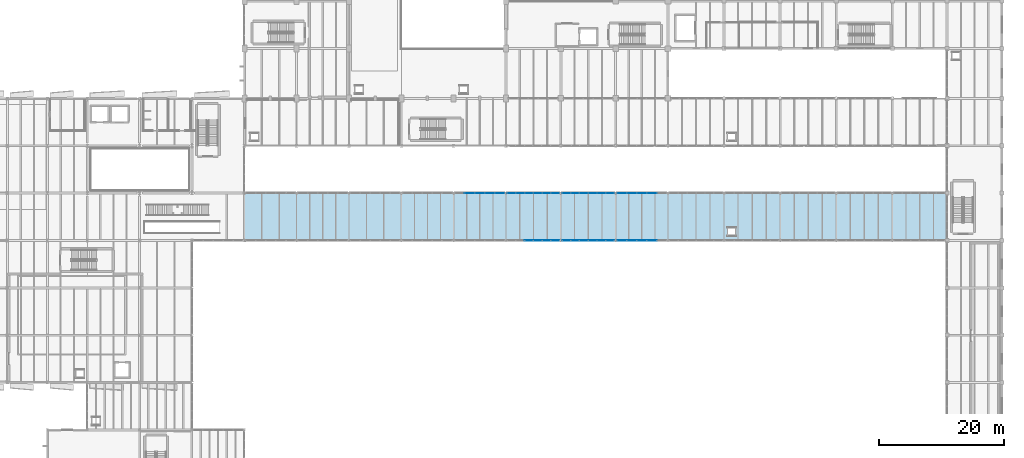
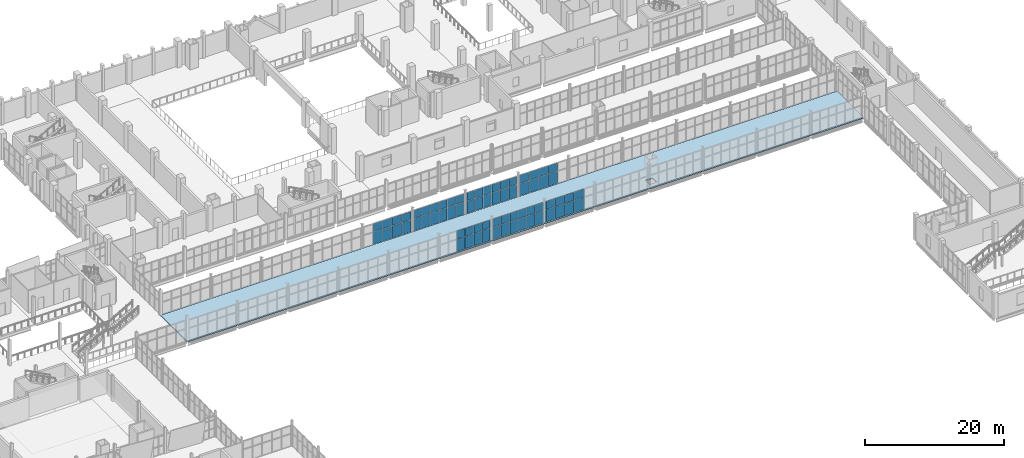
# One storey, part 131 of 172: 68 plates, 1 slab, 7 elements without a shape of their own.
"""IFC4 building model written with IfcOpenShell, lengths in metres."""

from ifc_helpers import new_model, si_unit, direction, frame, origin, origin_2d, place, context, subcontext, project, spatial, polyline, rectangle, outline, extrude, material, layer, layer_set, type_object, element, aggregate, save


model = new_model("IFC4")

# Units and contexts
model_context = context("Model", 3, precision=1e-05, world=origin(), true_north=direction((0.0, 1.0)))
body_context = subcontext(model_context, "Body", "Model", "MODEL_VIEW")
ifc_project = project(units=[si_unit("LENGTHUNIT", "METRE"), si_unit("AREAUNIT", "SQUARE_METRE"), si_unit("VOLUMEUNIT", "CUBIC_METRE"), si_unit("PLANEANGLEUNIT", "RADIAN"), si_unit("MASSUNIT", "GRAM", prefix="KILO")], contexts=[model_context])

# Site, building, storey
site_placement = place(None, origin())
site = spatial("IfcSite", under=ifc_project, at=site_placement, CompositionType="ELEMENT")
building_placement = place(site_placement, origin())
building = spatial("IfcBuilding", under=site, at=building_placement, Name="Shengluoqiao Park Theatre", CompositionType="ELEMENT")
storey_placement = place(building_placement, frame((0.0, 0.0, 5.39990234375)))
storey = spatial("IfcBuildingStorey", under=building, at=storey_placement, Name="L01", CompositionType="ELEMENT", Elevation=5.39990234375)

# Curtain wall, plates
ifc_material_1 = material(Name="Aluminium 6063-T6", Category="aluminium")
curtain_wall_type = type_object("IfcCurtainWallType", Name="ENV-CW-BRIDGE", PredefinedType="NOTDEFINED", material=ifc_material_1)
curtain_wall_1_placement = place(storey_placement, origin())
curtain_wall_1 = element("IfcCurtainWall", 1, at=curtain_wall_1_placement, inside=storey, type_object=curtain_wall_type, Name="L01 Curtain Wall CWX-L01-0128", PredefinedType="NOTDEFINED")
ifc_material_2 = material(Name="Insulated glass", Category="glass")
ifc_layer_1 = layer(ifc_material_2, 0.0380859375, Name="Insulated glass")
ifc_layer_set_1 = layer_set([ifc_layer_1], Name="Insulated glass")
plate_type = type_object("IfcPlateType", Name="ENV-GLZ-GL-38", PredefinedType="CURTAIN_PANEL", material=ifc_layer_set_1)
plate_1_placement = place(storey_placement, frame((90.096923828125, 53.199951171875, 0.06005859375), z_axis=(0.0, 0.0, 1.0), x_axis=(1.0, 0.0, 0.0)))
plate_1 = element("IfcPlate", 2, at=plate_1_placement, type_object=plate_type, Name="CW-03 panel 3.1", PredefinedType="CURTAIN_PANEL", context=body_context, shape_type="SweptSolid", body=[
    extrude(rectangle(XDim=1.345947265625, YDim=0.0380859375, at=origin_2d()), origin(), (0.0, 0.0, 1.0), 2.160888671875),
])
plate_2_placement = place(storey_placement, frame((90.096923828125, 53.199951171875, 2.28125), z_axis=(0.0, 0.0, 1.0), x_axis=(1.0, 0.0, 0.0)))
plate_2 = element("IfcPlate", 3, at=plate_2_placement, type_object=plate_type, Name="CW-03 panel 3.2", PredefinedType="CURTAIN_PANEL", context=body_context, shape_type="SweptSolid", body=[
    extrude(rectangle(XDim=1.345947265625, YDim=0.0380859375, at=origin_2d()), origin(), (0.0, 0.0, 1.0), 1.410888671875),
])
plate_3_placement = place(storey_placement, frame((91.5029296875, 53.199951171875, 0.06005859375), z_axis=(0.0, 0.0, 1.0), x_axis=(1.0, 0.0, 0.0)))
plate_3 = element("IfcPlate", 4, at=plate_3_placement, type_object=plate_type, Name="CW-03 panel 4.1", PredefinedType="CURTAIN_PANEL", context=body_context, shape_type="SweptSolid", body=[
    extrude(rectangle(XDim=1.345947265625, YDim=0.0380859375, at=origin_2d()), origin(), (0.0, 0.0, 1.0), 2.160888671875),
])
plate_4_placement = place(storey_placement, frame((91.5029296875, 53.199951171875, 2.28125), z_axis=(0.0, 0.0, 1.0), x_axis=(1.0, 0.0, 0.0)))
plate_4 = element("IfcPlate", 5, at=plate_4_placement, type_object=plate_type, Name="CW-03 panel 4.2", PredefinedType="CURTAIN_PANEL", context=body_context, shape_type="SweptSolid", body=[
    extrude(rectangle(XDim=1.345947265625, YDim=0.0380859375, at=origin_2d()), origin(), (0.0, 0.0, 1.0), 1.410888671875),
])
plate_5_placement = place(storey_placement, frame((92.908935546875, 53.199951171875, 0.06005859375), z_axis=(0.0, 0.0, 1.0), x_axis=(1.0, 0.0, 0.0)))
plate_5 = element("IfcPlate", 6, at=plate_5_placement, type_object=plate_type, Name="CW-03 panel 5.1", PredefinedType="CURTAIN_PANEL", context=body_context, shape_type="SweptSolid", body=[
    extrude(rectangle(XDim=1.345947265625, YDim=0.0380859375, at=origin_2d()), origin(), (0.0, 0.0, 1.0), 2.160888671875),
])
plate_6_placement = place(storey_placement, frame((92.908935546875, 53.199951171875, 2.28125), z_axis=(0.0, 0.0, 1.0), x_axis=(1.0, 0.0, 0.0)))
plate_6 = element("IfcPlate", 7, at=plate_6_placement, type_object=plate_type, Name="CW-03 panel 5.2", PredefinedType="CURTAIN_PANEL", context=body_context, shape_type="SweptSolid", body=[
    extrude(rectangle(XDim=1.345947265625, YDim=0.0380859375, at=origin_2d()), origin(), (0.0, 0.0, 1.0), 1.410888671875),
])
plate_7_placement = place(storey_placement, frame((94.300048828125, 53.199951171875, 0.06005859375), z_axis=(0.0, 0.0, 1.0), x_axis=(1.0, 0.0, 0.0)))
plate_7 = element("IfcPlate", 8, at=plate_7_placement, type_object=plate_type, Name="CW-03 panel 6.1", PredefinedType="CURTAIN_PANEL", context=body_context, shape_type="SweptSolid", body=[
    extrude(rectangle(XDim=1.31591796875, YDim=0.0380859375, at=origin_2d()), origin(), (0.0, 0.0, 1.0), 2.160888671875),
])
plate_8_placement = place(storey_placement, frame((94.300048828125, 53.199951171875, 2.28125), z_axis=(0.0, 0.0, 1.0), x_axis=(1.0, 0.0, 0.0)))
plate_8 = element("IfcPlate", 9, at=plate_8_placement, type_object=plate_type, Name="CW-03 panel 6.2", PredefinedType="CURTAIN_PANEL", context=body_context, shape_type="SweptSolid", body=[
    extrude(rectangle(XDim=1.31591796875, YDim=0.0380859375, at=origin_2d()), origin(), (0.0, 0.0, 1.0), 1.410888671875),
])
aggregate(curtain_wall_1, [plate_1, plate_2, plate_3, plate_4, plate_5, plate_6, plate_7, plate_8])

curtain_wall_2_placement = place(storey_placement, origin())
curtain_wall_2 = element("IfcCurtainWall", 10, at=curtain_wall_2_placement, inside=storey, type_object=curtain_wall_type, Name="L01 Curtain Wall CWX-L01-0129", PredefinedType="NOTDEFINED")
plate_9_placement = place(storey_placement, frame((96.10009765625, 53.199951171875, 0.06005859375), z_axis=(0.0, 0.0, 1.0), x_axis=(1.0, 0.0, 0.0)))
plate_9 = element("IfcPlate", 11, at=plate_9_placement, type_object=plate_type, Name="CW-03 panel 1.1", PredefinedType="CURTAIN_PANEL", context=body_context, shape_type="SweptSolid", body=[
    extrude(rectangle(XDim=1.31591796875, YDim=0.0380859375, at=origin_2d()), origin(), (0.0, 0.0, 1.0), 2.160888671875),
])
plate_10_placement = place(storey_placement, frame((96.10009765625, 53.199951171875, 2.28125), z_axis=(0.0, 0.0, 1.0), x_axis=(1.0, 0.0, 0.0)))
plate_10 = element("IfcPlate", 12, at=plate_10_placement, type_object=plate_type, Name="CW-03 panel 1.2", PredefinedType="CURTAIN_PANEL", context=body_context, shape_type="SweptSolid", body=[
    extrude(rectangle(XDim=1.31591796875, YDim=0.0380859375, at=origin_2d()), origin(), (0.0, 0.0, 1.0), 1.410888671875),
])
plate_11_placement = place(storey_placement, frame((97.490966796875, 53.199951171875, 0.06005859375), z_axis=(0.0, 0.0, 1.0), x_axis=(1.0, 0.0, 0.0)))
plate_11 = element("IfcPlate", 13, at=plate_11_placement, type_object=plate_type, Name="CW-03 panel 2.1", PredefinedType="CURTAIN_PANEL", context=body_context, shape_type="SweptSolid", body=[
    extrude(rectangle(XDim=1.345947265625, YDim=0.0380859375, at=origin_2d()), origin(), (0.0, 0.0, 1.0), 2.160888671875),
])
plate_12_placement = place(storey_placement, frame((97.490966796875, 53.199951171875, 2.28125), z_axis=(0.0, 0.0, 1.0), x_axis=(1.0, 0.0, 0.0)))
plate_12 = element("IfcPlate", 14, at=plate_12_placement, type_object=plate_type, Name="CW-03 panel 2.2", PredefinedType="CURTAIN_PANEL", context=body_context, shape_type="SweptSolid", body=[
    extrude(rectangle(XDim=1.345947265625, YDim=0.0380859375, at=origin_2d()), origin(), (0.0, 0.0, 1.0), 1.410888671875),
])
plate_13_placement = place(storey_placement, frame((98.89697265625, 53.199951171875, 0.06005859375), z_axis=(0.0, 0.0, 1.0), x_axis=(1.0, 0.0, 0.0)))
plate_13 = element("IfcPlate", 15, at=plate_13_placement, type_object=plate_type, Name="CW-03 panel 3.1", PredefinedType="CURTAIN_PANEL", context=body_context, shape_type="SweptSolid", body=[
    extrude(rectangle(XDim=1.345947265625, YDim=0.0380859375, at=origin_2d()), origin(), (0.0, 0.0, 1.0), 2.160888671875),
])
plate_14_placement = place(storey_placement, frame((98.89697265625, 53.199951171875, 2.28125), z_axis=(0.0, 0.0, 1.0), x_axis=(1.0, 0.0, 0.0)))
plate_14 = element("IfcPlate", 16, at=plate_14_placement, type_object=plate_type, Name="CW-03 panel 3.2", PredefinedType="CURTAIN_PANEL", context=body_context, shape_type="SweptSolid", body=[
    extrude(rectangle(XDim=1.345947265625, YDim=0.0380859375, at=origin_2d()), origin(), (0.0, 0.0, 1.0), 1.410888671875),
])
plate_15_placement = place(storey_placement, frame((100.302978515625, 53.199951171875, 0.06005859375), z_axis=(0.0, 0.0, 1.0), x_axis=(1.0, 0.0, 0.0)))
plate_15 = element("IfcPlate", 17, at=plate_15_placement, type_object=plate_type, Name="CW-03 panel 4.1", PredefinedType="CURTAIN_PANEL", context=body_context, shape_type="SweptSolid", body=[
    extrude(rectangle(XDim=1.345947265625, YDim=0.0380859375, at=origin_2d()), origin(), (0.0, 0.0, 1.0), 2.160888671875),
])
plate_16_placement = place(storey_placement, frame((100.302978515625, 53.199951171875, 2.28125), z_axis=(0.0, 0.0, 1.0), x_axis=(1.0, 0.0, 0.0)))
plate_16 = element("IfcPlate", 18, at=plate_16_placement, type_object=plate_type, Name="CW-03 panel 4.2", PredefinedType="CURTAIN_PANEL", context=body_context, shape_type="SweptSolid", body=[
    extrude(rectangle(XDim=1.345947265625, YDim=0.0380859375, at=origin_2d()), origin(), (0.0, 0.0, 1.0), 1.410888671875),
])
plate_17_placement = place(storey_placement, frame((101.708984375, 53.199951171875, 0.06005859375), z_axis=(0.0, 0.0, 1.0), x_axis=(1.0, 0.0, 0.0)))
plate_17 = element("IfcPlate", 19, at=plate_17_placement, type_object=plate_type, Name="CW-03 panel 5.1", PredefinedType="CURTAIN_PANEL", context=body_context, shape_type="SweptSolid", body=[
    extrude(rectangle(XDim=1.345947265625, YDim=0.0380859375, at=origin_2d()), origin(), (0.0, 0.0, 1.0), 2.160888671875),
])
plate_18_placement = place(storey_placement, frame((101.708984375, 53.199951171875, 2.28125), z_axis=(0.0, 0.0, 1.0), x_axis=(1.0, 0.0, 0.0)))
plate_18 = element("IfcPlate", 20, at=plate_18_placement, type_object=plate_type, Name="CW-03 panel 5.2", PredefinedType="CURTAIN_PANEL", context=body_context, shape_type="SweptSolid", body=[
    extrude(rectangle(XDim=1.345947265625, YDim=0.0380859375, at=origin_2d()), origin(), (0.0, 0.0, 1.0), 1.410888671875),
])
plate_19_placement = place(storey_placement, frame((103.10009765625, 53.199951171875, 0.06005859375), z_axis=(0.0, 0.0, 1.0), x_axis=(1.0, 0.0, 0.0)))
plate_19 = element("IfcPlate", 21, at=plate_19_placement, type_object=plate_type, Name="CW-03 panel 6.1", PredefinedType="CURTAIN_PANEL", context=body_context, shape_type="SweptSolid", body=[
    extrude(rectangle(XDim=1.31591796875, YDim=0.0380859375, at=origin_2d()), origin(), (0.0, 0.0, 1.0), 2.160888671875),
])
plate_20_placement = place(storey_placement, frame((103.10009765625, 53.199951171875, 2.28125), z_axis=(0.0, 0.0, 1.0), x_axis=(1.0, 0.0, 0.0)))
plate_20 = element("IfcPlate", 22, at=plate_20_placement, type_object=plate_type, Name="CW-03 panel 6.2", PredefinedType="CURTAIN_PANEL", context=body_context, shape_type="SweptSolid", body=[
    extrude(rectangle(XDim=1.31591796875, YDim=0.0380859375, at=origin_2d()), origin(), (0.0, 0.0, 1.0), 1.410888671875),
])
aggregate(curtain_wall_2, [plate_9, plate_10, plate_11, plate_12, plate_13, plate_14, plate_15, plate_16, plate_17, plate_18, plate_19, plate_20])

curtain_wall_3_placement = place(storey_placement, origin())
curtain_wall_3 = element("IfcCurtainWall", 23, at=curtain_wall_3_placement, inside=storey, type_object=curtain_wall_type, Name="L01 Curtain Wall CWX-L01-0130", PredefinedType="NOTDEFINED")
plate_21_placement = place(storey_placement, frame((105.00048828125, 53.199951171875, 0.06005859375), z_axis=(0.0, 0.0, 1.0), x_axis=(1.0, 0.0, 0.0)))
plate_21 = element("IfcPlate", 24, at=plate_21_placement, type_object=plate_type, Name="CW-03 panel 1.1", PredefinedType="CURTAIN_PANEL", context=body_context, shape_type="SweptSolid", body=[
    extrude(rectangle(XDim=1.51708984375, YDim=0.0380859375, at=origin_2d()), origin(), (0.0, 0.0, 1.0), 2.160888671875),
])
plate_22_placement = place(storey_placement, frame((105.00048828125, 53.199951171875, 2.28125), z_axis=(0.0, 0.0, 1.0), x_axis=(1.0, 0.0, 0.0)))
plate_22 = element("IfcPlate", 25, at=plate_22_placement, type_object=plate_type, Name="CW-03 panel 1.2", PredefinedType="CURTAIN_PANEL", context=body_context, shape_type="SweptSolid", body=[
    extrude(rectangle(XDim=1.51708984375, YDim=0.0380859375, at=origin_2d()), origin(), (0.0, 0.0, 1.0), 1.410888671875),
])
plate_23_placement = place(storey_placement, frame((106.5927734375, 53.199951171875, 0.06005859375), z_axis=(0.0, 0.0, 1.0), x_axis=(1.0, 0.0, 0.0)))
plate_23 = element("IfcPlate", 26, at=plate_23_placement, type_object=plate_type, Name="CW-03 panel 2.1", PredefinedType="CURTAIN_PANEL", context=body_context, shape_type="SweptSolid", body=[
    extrude(rectangle(XDim=1.547119140625, YDim=0.0380859375, at=origin_2d()), origin(), (0.0, 0.0, 1.0), 2.160888671875),
])
plate_24_placement = place(storey_placement, frame((106.5927734375, 53.199951171875, 2.28125), z_axis=(0.0, 0.0, 1.0), x_axis=(1.0, 0.0, 0.0)))
plate_24 = element("IfcPlate", 27, at=plate_24_placement, type_object=plate_type, Name="CW-03 panel 2.2", PredefinedType="CURTAIN_PANEL", context=body_context, shape_type="SweptSolid", body=[
    extrude(rectangle(XDim=1.547119140625, YDim=0.0380859375, at=origin_2d()), origin(), (0.0, 0.0, 1.0), 1.410888671875),
])
plate_25_placement = place(storey_placement, frame((108.199951171875, 53.199951171875, 0.06005859375), z_axis=(0.0, 0.0, 1.0), x_axis=(1.0, 0.0, 0.0)))
plate_25 = element("IfcPlate", 28, at=plate_25_placement, type_object=plate_type, Name="CW-03 panel 3.1", PredefinedType="CURTAIN_PANEL", context=body_context, shape_type="SweptSolid", body=[
    extrude(rectangle(XDim=1.547119140625, YDim=0.0380859375, at=origin_2d()), origin(), (0.0, 0.0, 1.0), 2.160888671875),
])
plate_26_placement = place(storey_placement, frame((108.199951171875, 53.199951171875, 2.28125), z_axis=(0.0, 0.0, 1.0), x_axis=(1.0, 0.0, 0.0)))
plate_26 = element("IfcPlate", 29, at=plate_26_placement, type_object=plate_type, Name="CW-03 panel 3.2", PredefinedType="CURTAIN_PANEL", context=body_context, shape_type="SweptSolid", body=[
    extrude(rectangle(XDim=1.547119140625, YDim=0.0380859375, at=origin_2d()), origin(), (0.0, 0.0, 1.0), 1.410888671875),
])
plate_27_placement = place(storey_placement, frame((109.80712890625, 53.199951171875, 0.06005859375), z_axis=(0.0, 0.0, 1.0), x_axis=(1.0, 0.0, 0.0)))
plate_27 = element("IfcPlate", 30, at=plate_27_placement, type_object=plate_type, Name="CW-03 panel 4.1", PredefinedType="CURTAIN_PANEL", context=body_context, shape_type="SweptSolid", body=[
    extrude(rectangle(XDim=1.547119140625, YDim=0.0380859375, at=origin_2d()), origin(), (0.0, 0.0, 1.0), 2.160888671875),
])
plate_28_placement = place(storey_placement, frame((109.80712890625, 53.199951171875, 2.28125), z_axis=(0.0, 0.0, 1.0), x_axis=(1.0, 0.0, 0.0)))
plate_28 = element("IfcPlate", 31, at=plate_28_placement, type_object=plate_type, Name="CW-03 panel 4.2", PredefinedType="CURTAIN_PANEL", context=body_context, shape_type="SweptSolid", body=[
    extrude(rectangle(XDim=1.547119140625, YDim=0.0380859375, at=origin_2d()), origin(), (0.0, 0.0, 1.0), 1.410888671875),
])
aggregate(curtain_wall_3, [plate_21, plate_22, plate_23, plate_24, plate_25, plate_26, plate_27, plate_28])

curtain_wall_4_placement = place(storey_placement, origin())
curtain_wall_4 = element("IfcCurtainWall", 32, at=curtain_wall_4_placement, inside=storey, type_object=curtain_wall_type, Name="L01 Curtain Wall CWX-L01-0140", PredefinedType="NOTDEFINED")
plate_29_placement = place(storey_placement, frame((80.5927734375, 60.800048828125, 0.06005859375), z_axis=(0.0, 0.0, 1.0), x_axis=(1.0, 0.0, 0.0)))
plate_29 = element("IfcPlate", 33, at=plate_29_placement, type_object=plate_type, Name="CW-03 panel 2.1", PredefinedType="CURTAIN_PANEL", context=body_context, shape_type="SweptSolid", body=[
    extrude(rectangle(XDim=1.547119140625, YDim=0.0380859375, at=origin_2d()), origin(), (0.0, 0.0, 1.0), 2.160888671875),
])
plate_30_placement = place(storey_placement, frame((80.5927734375, 60.800048828125, 2.28125), z_axis=(0.0, 0.0, 1.0), x_axis=(1.0, 0.0, 0.0)))
plate_30 = element("IfcPlate", 34, at=plate_30_placement, type_object=plate_type, Name="CW-03 panel 2.2", PredefinedType="CURTAIN_PANEL", context=body_context, shape_type="SweptSolid", body=[
    extrude(rectangle(XDim=1.547119140625, YDim=0.0380859375, at=origin_2d()), origin(), (0.0, 0.0, 1.0), 1.410888671875),
])
plate_31_placement = place(storey_placement, frame((82.199951171875, 60.800048828125, 0.06005859375), z_axis=(0.0, 0.0, 1.0), x_axis=(1.0, 0.0, 0.0)))
plate_31 = element("IfcPlate", 35, at=plate_31_placement, type_object=plate_type, Name="CW-03 panel 3.1", PredefinedType="CURTAIN_PANEL", context=body_context, shape_type="SweptSolid", body=[
    extrude(rectangle(XDim=1.547119140625, YDim=0.0380859375, at=origin_2d()), origin(), (0.0, 0.0, 1.0), 2.160888671875),
])
plate_32_placement = place(storey_placement, frame((82.199951171875, 60.800048828125, 2.28125), z_axis=(0.0, 0.0, 1.0), x_axis=(1.0, 0.0, 0.0)))
plate_32 = element("IfcPlate", 36, at=plate_32_placement, type_object=plate_type, Name="CW-03 panel 3.2", PredefinedType="CURTAIN_PANEL", context=body_context, shape_type="SweptSolid", body=[
    extrude(rectangle(XDim=1.547119140625, YDim=0.0380859375, at=origin_2d()), origin(), (0.0, 0.0, 1.0), 1.410888671875),
])
plate_33_placement = place(storey_placement, frame((83.80712890625, 60.800048828125, 0.06005859375), z_axis=(0.0, 0.0, 1.0), x_axis=(1.0, 0.0, 0.0)))
plate_33 = element("IfcPlate", 37, at=plate_33_placement, type_object=plate_type, Name="CW-03 panel 4.1", PredefinedType="CURTAIN_PANEL", context=body_context, shape_type="SweptSolid", body=[
    extrude(rectangle(XDim=1.547119140625, YDim=0.0380859375, at=origin_2d()), origin(), (0.0, 0.0, 1.0), 2.160888671875),
])
plate_34_placement = place(storey_placement, frame((83.80712890625, 60.800048828125, 2.28125), z_axis=(0.0, 0.0, 1.0), x_axis=(1.0, 0.0, 0.0)))
plate_34 = element("IfcPlate", 38, at=plate_34_placement, type_object=plate_type, Name="CW-03 panel 4.2", PredefinedType="CURTAIN_PANEL", context=body_context, shape_type="SweptSolid", body=[
    extrude(rectangle(XDim=1.547119140625, YDim=0.0380859375, at=origin_2d()), origin(), (0.0, 0.0, 1.0), 1.410888671875),
])
plate_35_placement = place(storey_placement, frame((85.3994140625, 60.800048828125, 0.06005859375), z_axis=(0.0, 0.0, 1.0), x_axis=(1.0, 0.0, 0.0)))
plate_35 = element("IfcPlate", 39, at=plate_35_placement, type_object=plate_type, Name="CW-03 panel 5.1", PredefinedType="CURTAIN_PANEL", context=body_context, shape_type="SweptSolid", body=[
    extrude(rectangle(XDim=1.51708984375, YDim=0.0380859375, at=origin_2d()), origin(), (0.0, 0.0, 1.0), 2.160888671875),
])
plate_36_placement = place(storey_placement, frame((85.3994140625, 60.800048828125, 2.28125), z_axis=(0.0, 0.0, 1.0), x_axis=(1.0, 0.0, 0.0)))
plate_36 = element("IfcPlate", 40, at=plate_36_placement, type_object=plate_type, Name="CW-03 panel 5.2", PredefinedType="CURTAIN_PANEL", context=body_context, shape_type="SweptSolid", body=[
    extrude(rectangle(XDim=1.51708984375, YDim=0.0380859375, at=origin_2d()), origin(), (0.0, 0.0, 1.0), 1.410888671875),
])
aggregate(curtain_wall_4, [plate_29, plate_30, plate_31, plate_32, plate_33, plate_34, plate_35, plate_36])

curtain_wall_5_placement = place(storey_placement, origin())
curtain_wall_5 = element("IfcCurtainWall", 41, at=curtain_wall_5_placement, inside=storey, type_object=curtain_wall_type, Name="L01 Curtain Wall CWX-L01-0141", PredefinedType="NOTDEFINED")
plate_37_placement = place(storey_placement, frame((87.300048828125, 60.800048828125, 0.06005859375), z_axis=(0.0, 0.0, 1.0), x_axis=(1.0, 0.0, 0.0)))
plate_37 = element("IfcPlate", 42, at=plate_37_placement, type_object=plate_type, Name="CW-03 panel 1.1", PredefinedType="CURTAIN_PANEL", context=body_context, shape_type="SweptSolid", body=[
    extrude(rectangle(XDim=1.31591796875, YDim=0.0380859375, at=origin_2d()), origin(), (0.0, 0.0, 1.0), 2.160888671875),
])
plate_38_placement = place(storey_placement, frame((87.300048828125, 60.800048828125, 2.28125), z_axis=(0.0, 0.0, 1.0), x_axis=(1.0, 0.0, 0.0)))
plate_38 = element("IfcPlate", 43, at=plate_38_placement, type_object=plate_type, Name="CW-03 panel 1.2", PredefinedType="CURTAIN_PANEL", context=body_context, shape_type="SweptSolid", body=[
    extrude(rectangle(XDim=1.31591796875, YDim=0.0380859375, at=origin_2d()), origin(), (0.0, 0.0, 1.0), 1.410888671875),
])
plate_39_placement = place(storey_placement, frame((88.69091796875, 60.800048828125, 0.06005859375), z_axis=(0.0, 0.0, 1.0), x_axis=(1.0, 0.0, 0.0)))
plate_39 = element("IfcPlate", 44, at=plate_39_placement, type_object=plate_type, Name="CW-03 panel 2.1", PredefinedType="CURTAIN_PANEL", context=body_context, shape_type="SweptSolid", body=[
    extrude(rectangle(XDim=1.345947265625, YDim=0.0380859375, at=origin_2d()), origin(), (0.0, 0.0, 1.0), 2.160888671875),
])
plate_40_placement = place(storey_placement, frame((88.69091796875, 60.800048828125, 2.28125), z_axis=(0.0, 0.0, 1.0), x_axis=(1.0, 0.0, 0.0)))
plate_40 = element("IfcPlate", 45, at=plate_40_placement, type_object=plate_type, Name="CW-03 panel 2.2", PredefinedType="CURTAIN_PANEL", context=body_context, shape_type="SweptSolid", body=[
    extrude(rectangle(XDim=1.345947265625, YDim=0.0380859375, at=origin_2d()), origin(), (0.0, 0.0, 1.0), 1.410888671875),
])
plate_41_placement = place(storey_placement, frame((90.096923828125, 60.800048828125, 0.06005859375), z_axis=(0.0, 0.0, 1.0), x_axis=(1.0, 0.0, 0.0)))
plate_41 = element("IfcPlate", 46, at=plate_41_placement, type_object=plate_type, Name="CW-03 panel 3.1", PredefinedType="CURTAIN_PANEL", context=body_context, shape_type="SweptSolid", body=[
    extrude(rectangle(XDim=1.345947265625, YDim=0.0380859375, at=origin_2d()), origin(), (0.0, 0.0, 1.0), 2.160888671875),
])
plate_42_placement = place(storey_placement, frame((90.096923828125, 60.800048828125, 2.28125), z_axis=(0.0, 0.0, 1.0), x_axis=(1.0, 0.0, 0.0)))
plate_42 = element("IfcPlate", 47, at=plate_42_placement, type_object=plate_type, Name="CW-03 panel 3.2", PredefinedType="CURTAIN_PANEL", context=body_context, shape_type="SweptSolid", body=[
    extrude(rectangle(XDim=1.345947265625, YDim=0.0380859375, at=origin_2d()), origin(), (0.0, 0.0, 1.0), 1.410888671875),
])
plate_43_placement = place(storey_placement, frame((91.5029296875, 60.800048828125, 0.06005859375), z_axis=(0.0, 0.0, 1.0), x_axis=(1.0, 0.0, 0.0)))
plate_43 = element("IfcPlate", 48, at=plate_43_placement, type_object=plate_type, Name="CW-03 panel 4.1", PredefinedType="CURTAIN_PANEL", context=body_context, shape_type="SweptSolid", body=[
    extrude(rectangle(XDim=1.345947265625, YDim=0.0380859375, at=origin_2d()), origin(), (0.0, 0.0, 1.0), 2.160888671875),
])
plate_44_placement = place(storey_placement, frame((91.5029296875, 60.800048828125, 2.28125), z_axis=(0.0, 0.0, 1.0), x_axis=(1.0, 0.0, 0.0)))
plate_44 = element("IfcPlate", 49, at=plate_44_placement, type_object=plate_type, Name="CW-03 panel 4.2", PredefinedType="CURTAIN_PANEL", context=body_context, shape_type="SweptSolid", body=[
    extrude(rectangle(XDim=1.345947265625, YDim=0.0380859375, at=origin_2d()), origin(), (0.0, 0.0, 1.0), 1.410888671875),
])
plate_45_placement = place(storey_placement, frame((92.908935546875, 60.800048828125, 0.06005859375), z_axis=(0.0, 0.0, 1.0), x_axis=(1.0, 0.0, 0.0)))
plate_45 = element("IfcPlate", 50, at=plate_45_placement, type_object=plate_type, Name="CW-03 panel 5.1", PredefinedType="CURTAIN_PANEL", context=body_context, shape_type="SweptSolid", body=[
    extrude(rectangle(XDim=1.345947265625, YDim=0.0380859375, at=origin_2d()), origin(), (0.0, 0.0, 1.0), 2.160888671875),
])
plate_46_placement = place(storey_placement, frame((92.908935546875, 60.800048828125, 2.28125), z_axis=(0.0, 0.0, 1.0), x_axis=(1.0, 0.0, 0.0)))
plate_46 = element("IfcPlate", 51, at=plate_46_placement, type_object=plate_type, Name="CW-03 panel 5.2", PredefinedType="CURTAIN_PANEL", context=body_context, shape_type="SweptSolid", body=[
    extrude(rectangle(XDim=1.345947265625, YDim=0.0380859375, at=origin_2d()), origin(), (0.0, 0.0, 1.0), 1.410888671875),
])
plate_47_placement = place(storey_placement, frame((94.300048828125, 60.800048828125, 0.06005859375), z_axis=(0.0, 0.0, 1.0), x_axis=(1.0, 0.0, 0.0)))
plate_47 = element("IfcPlate", 52, at=plate_47_placement, type_object=plate_type, Name="CW-03 panel 6.1", PredefinedType="CURTAIN_PANEL", context=body_context, shape_type="SweptSolid", body=[
    extrude(rectangle(XDim=1.31591796875, YDim=0.0380859375, at=origin_2d()), origin(), (0.0, 0.0, 1.0), 2.160888671875),
])
plate_48_placement = place(storey_placement, frame((94.300048828125, 60.800048828125, 2.28125), z_axis=(0.0, 0.0, 1.0), x_axis=(1.0, 0.0, 0.0)))
plate_48 = element("IfcPlate", 53, at=plate_48_placement, type_object=plate_type, Name="CW-03 panel 6.2", PredefinedType="CURTAIN_PANEL", context=body_context, shape_type="SweptSolid", body=[
    extrude(rectangle(XDim=1.31591796875, YDim=0.0380859375, at=origin_2d()), origin(), (0.0, 0.0, 1.0), 1.410888671875),
])
aggregate(curtain_wall_5, [plate_37, plate_38, plate_39, plate_40, plate_41, plate_42, plate_43, plate_44, plate_45, plate_46, plate_47, plate_48])

curtain_wall_6_placement = place(storey_placement, origin())
curtain_wall_6 = element("IfcCurtainWall", 54, at=curtain_wall_6_placement, inside=storey, type_object=curtain_wall_type, Name="L01 Curtain Wall CWX-L01-0142", PredefinedType="NOTDEFINED")
plate_49_placement = place(storey_placement, frame((96.10009765625, 60.800048828125, 0.06005859375), z_axis=(0.0, 0.0, 1.0), x_axis=(1.0, 0.0, 0.0)))
plate_49 = element("IfcPlate", 55, at=plate_49_placement, type_object=plate_type, Name="CW-03 panel 1.1", PredefinedType="CURTAIN_PANEL", context=body_context, shape_type="SweptSolid", body=[
    extrude(rectangle(XDim=1.31591796875, YDim=0.0380859375, at=origin_2d()), origin(), (0.0, 0.0, 1.0), 2.160888671875),
])
plate_50_placement = place(storey_placement, frame((96.10009765625, 60.800048828125, 2.28125), z_axis=(0.0, 0.0, 1.0), x_axis=(1.0, 0.0, 0.0)))
plate_50 = element("IfcPlate", 56, at=plate_50_placement, type_object=plate_type, Name="CW-03 panel 1.2", PredefinedType="CURTAIN_PANEL", context=body_context, shape_type="SweptSolid", body=[
    extrude(rectangle(XDim=1.31591796875, YDim=0.0380859375, at=origin_2d()), origin(), (0.0, 0.0, 1.0), 1.410888671875),
])
plate_51_placement = place(storey_placement, frame((97.490966796875, 60.800048828125, 0.06005859375), z_axis=(0.0, 0.0, 1.0), x_axis=(1.0, 0.0, 0.0)))
plate_51 = element("IfcPlate", 57, at=plate_51_placement, type_object=plate_type, Name="CW-03 panel 2.1", PredefinedType="CURTAIN_PANEL", context=body_context, shape_type="SweptSolid", body=[
    extrude(rectangle(XDim=1.345947265625, YDim=0.0380859375, at=origin_2d()), origin(), (0.0, 0.0, 1.0), 2.160888671875),
])
plate_52_placement = place(storey_placement, frame((97.490966796875, 60.800048828125, 2.28125), z_axis=(0.0, 0.0, 1.0), x_axis=(1.0, 0.0, 0.0)))
plate_52 = element("IfcPlate", 58, at=plate_52_placement, type_object=plate_type, Name="CW-03 panel 2.2", PredefinedType="CURTAIN_PANEL", context=body_context, shape_type="SweptSolid", body=[
    extrude(rectangle(XDim=1.345947265625, YDim=0.0380859375, at=origin_2d()), origin(), (0.0, 0.0, 1.0), 1.410888671875),
])
plate_53_placement = place(storey_placement, frame((98.89697265625, 60.800048828125, 0.06005859375), z_axis=(0.0, 0.0, 1.0), x_axis=(1.0, 0.0, 0.0)))
plate_53 = element("IfcPlate", 59, at=plate_53_placement, type_object=plate_type, Name="CW-03 panel 3.1", PredefinedType="CURTAIN_PANEL", context=body_context, shape_type="SweptSolid", body=[
    extrude(rectangle(XDim=1.345947265625, YDim=0.0380859375, at=origin_2d()), origin(), (0.0, 0.0, 1.0), 2.160888671875),
])
plate_54_placement = place(storey_placement, frame((98.89697265625, 60.800048828125, 2.28125), z_axis=(0.0, 0.0, 1.0), x_axis=(1.0, 0.0, 0.0)))
plate_54 = element("IfcPlate", 60, at=plate_54_placement, type_object=plate_type, Name="CW-03 panel 3.2", PredefinedType="CURTAIN_PANEL", context=body_context, shape_type="SweptSolid", body=[
    extrude(rectangle(XDim=1.345947265625, YDim=0.0380859375, at=origin_2d()), origin(), (0.0, 0.0, 1.0), 1.410888671875),
])
plate_55_placement = place(storey_placement, frame((100.302978515625, 60.800048828125, 0.06005859375), z_axis=(0.0, 0.0, 1.0), x_axis=(1.0, 0.0, 0.0)))
plate_55 = element("IfcPlate", 61, at=plate_55_placement, type_object=plate_type, Name="CW-03 panel 4.1", PredefinedType="CURTAIN_PANEL", context=body_context, shape_type="SweptSolid", body=[
    extrude(rectangle(XDim=1.345947265625, YDim=0.0380859375, at=origin_2d()), origin(), (0.0, 0.0, 1.0), 2.160888671875),
])
plate_56_placement = place(storey_placement, frame((100.302978515625, 60.800048828125, 2.28125), z_axis=(0.0, 0.0, 1.0), x_axis=(1.0, 0.0, 0.0)))
plate_56 = element("IfcPlate", 62, at=plate_56_placement, type_object=plate_type, Name="CW-03 panel 4.2", PredefinedType="CURTAIN_PANEL", context=body_context, shape_type="SweptSolid", body=[
    extrude(rectangle(XDim=1.345947265625, YDim=0.0380859375, at=origin_2d()), origin(), (0.0, 0.0, 1.0), 1.410888671875),
])
plate_57_placement = place(storey_placement, frame((101.708984375, 60.800048828125, 0.06005859375), z_axis=(0.0, 0.0, 1.0), x_axis=(1.0, 0.0, 0.0)))
plate_57 = element("IfcPlate", 63, at=plate_57_placement, type_object=plate_type, Name="CW-03 panel 5.1", PredefinedType="CURTAIN_PANEL", context=body_context, shape_type="SweptSolid", body=[
    extrude(rectangle(XDim=1.345947265625, YDim=0.0380859375, at=origin_2d()), origin(), (0.0, 0.0, 1.0), 2.160888671875),
])
plate_58_placement = place(storey_placement, frame((101.708984375, 60.800048828125, 2.28125), z_axis=(0.0, 0.0, 1.0), x_axis=(1.0, 0.0, 0.0)))
plate_58 = element("IfcPlate", 64, at=plate_58_placement, type_object=plate_type, Name="CW-03 panel 5.2", PredefinedType="CURTAIN_PANEL", context=body_context, shape_type="SweptSolid", body=[
    extrude(rectangle(XDim=1.345947265625, YDim=0.0380859375, at=origin_2d()), origin(), (0.0, 0.0, 1.0), 1.410888671875),
])
plate_59_placement = place(storey_placement, frame((103.10009765625, 60.800048828125, 0.06005859375), z_axis=(0.0, 0.0, 1.0), x_axis=(1.0, 0.0, 0.0)))
plate_59 = element("IfcPlate", 65, at=plate_59_placement, type_object=plate_type, Name="CW-03 panel 6.1", PredefinedType="CURTAIN_PANEL", context=body_context, shape_type="SweptSolid", body=[
    extrude(rectangle(XDim=1.31591796875, YDim=0.0380859375, at=origin_2d()), origin(), (0.0, 0.0, 1.0), 2.160888671875),
])
plate_60_placement = place(storey_placement, frame((103.10009765625, 60.800048828125, 2.28125), z_axis=(0.0, 0.0, 1.0), x_axis=(1.0, 0.0, 0.0)))
plate_60 = element("IfcPlate", 66, at=plate_60_placement, type_object=plate_type, Name="CW-03 panel 6.2", PredefinedType="CURTAIN_PANEL", context=body_context, shape_type="SweptSolid", body=[
    extrude(rectangle(XDim=1.31591796875, YDim=0.0380859375, at=origin_2d()), origin(), (0.0, 0.0, 1.0), 1.410888671875),
])
aggregate(curtain_wall_6, [plate_49, plate_50, plate_51, plate_52, plate_53, plate_54, plate_55, plate_56, plate_57, plate_58, plate_59, plate_60])

curtain_wall_7_placement = place(storey_placement, origin())
curtain_wall_7 = element("IfcCurtainWall", 67, at=curtain_wall_7_placement, inside=storey, type_object=curtain_wall_type, Name="L01 Curtain Wall CWX-L01-0143", PredefinedType="NOTDEFINED")
plate_61_placement = place(storey_placement, frame((105.00048828125, 60.800048828125, 0.06005859375), z_axis=(0.0, 0.0, 1.0), x_axis=(1.0, 0.0, 0.0)))
plate_61 = element("IfcPlate", 68, at=plate_61_placement, type_object=plate_type, Name="CW-03 panel 1.1", PredefinedType="CURTAIN_PANEL", context=body_context, shape_type="SweptSolid", body=[
    extrude(rectangle(XDim=1.51708984375, YDim=0.0380859375, at=origin_2d()), origin(), (0.0, 0.0, 1.0), 2.160888671875),
])
plate_62_placement = place(storey_placement, frame((105.00048828125, 60.800048828125, 2.28125), z_axis=(0.0, 0.0, 1.0), x_axis=(1.0, 0.0, 0.0)))
plate_62 = element("IfcPlate", 69, at=plate_62_placement, type_object=plate_type, Name="CW-03 panel 1.2", PredefinedType="CURTAIN_PANEL", context=body_context, shape_type="SweptSolid", body=[
    extrude(rectangle(XDim=1.51708984375, YDim=0.0380859375, at=origin_2d()), origin(), (0.0, 0.0, 1.0), 1.410888671875),
])
plate_63_placement = place(storey_placement, frame((106.5927734375, 60.800048828125, 0.06005859375), z_axis=(0.0, 0.0, 1.0), x_axis=(1.0, 0.0, 0.0)))
plate_63 = element("IfcPlate", 70, at=plate_63_placement, type_object=plate_type, Name="CW-03 panel 2.1", PredefinedType="CURTAIN_PANEL", context=body_context, shape_type="SweptSolid", body=[
    extrude(rectangle(XDim=1.547119140625, YDim=0.0380859375, at=origin_2d()), origin(), (0.0, 0.0, 1.0), 2.160888671875),
])
plate_64_placement = place(storey_placement, frame((106.5927734375, 60.800048828125, 2.28125), z_axis=(0.0, 0.0, 1.0), x_axis=(1.0, 0.0, 0.0)))
plate_64 = element("IfcPlate", 71, at=plate_64_placement, type_object=plate_type, Name="CW-03 panel 2.2", PredefinedType="CURTAIN_PANEL", context=body_context, shape_type="SweptSolid", body=[
    extrude(rectangle(XDim=1.547119140625, YDim=0.0380859375, at=origin_2d()), origin(), (0.0, 0.0, 1.0), 1.410888671875),
])
plate_65_placement = place(storey_placement, frame((108.199951171875, 60.800048828125, 0.06005859375), z_axis=(0.0, 0.0, 1.0), x_axis=(1.0, 0.0, 0.0)))
plate_65 = element("IfcPlate", 72, at=plate_65_placement, type_object=plate_type, Name="CW-03 panel 3.1", PredefinedType="CURTAIN_PANEL", context=body_context, shape_type="SweptSolid", body=[
    extrude(rectangle(XDim=1.547119140625, YDim=0.0380859375, at=origin_2d()), origin(), (0.0, 0.0, 1.0), 2.160888671875),
])
plate_66_placement = place(storey_placement, frame((108.199951171875, 60.800048828125, 2.28125), z_axis=(0.0, 0.0, 1.0), x_axis=(1.0, 0.0, 0.0)))
plate_66 = element("IfcPlate", 73, at=plate_66_placement, type_object=plate_type, Name="CW-03 panel 3.2", PredefinedType="CURTAIN_PANEL", context=body_context, shape_type="SweptSolid", body=[
    extrude(rectangle(XDim=1.547119140625, YDim=0.0380859375, at=origin_2d()), origin(), (0.0, 0.0, 1.0), 1.410888671875),
])
plate_67_placement = place(storey_placement, frame((109.80712890625, 60.800048828125, 0.06005859375), z_axis=(0.0, 0.0, 1.0), x_axis=(1.0, 0.0, 0.0)))
plate_67 = element("IfcPlate", 74, at=plate_67_placement, type_object=plate_type, Name="CW-03 panel 4.1", PredefinedType="CURTAIN_PANEL", context=body_context, shape_type="SweptSolid", body=[
    extrude(rectangle(XDim=1.547119140625, YDim=0.0380859375, at=origin_2d()), origin(), (0.0, 0.0, 1.0), 2.160888671875),
])
plate_68_placement = place(storey_placement, frame((109.80712890625, 60.800048828125, 2.28125), z_axis=(0.0, 0.0, 1.0), x_axis=(1.0, 0.0, 0.0)))
plate_68 = element("IfcPlate", 75, at=plate_68_placement, type_object=plate_type, Name="CW-03 panel 4.2", PredefinedType="CURTAIN_PANEL", context=body_context, shape_type="SweptSolid", body=[
    extrude(rectangle(XDim=1.547119140625, YDim=0.0380859375, at=origin_2d()), origin(), (0.0, 0.0, 1.0), 1.410888671875),
])
aggregate(curtain_wall_7, [plate_61, plate_62, plate_63, plate_64, plate_65, plate_66, plate_67, plate_68])

# Slab
ifc_material_3 = material(Name="Concrete C35", Category="concrete")
ifc_layer_2 = layer(ifc_material_3, 0.2099609375, Name="Concrete C35")
ifc_layer_set_2 = layer_set([ifc_layer_2], Name="Concrete C35")
slab_type = type_object("IfcSlabType", Name="STR-SLB-BRG210", PredefinedType="FLOOR", material=ifc_layer_set_2)
slab_placement = place(storey_placement, frame((0.0, 0.0, -0.2099609375)))
element("IfcSlab", 76, at=slab_placement, inside=storey, type_object=slab_type, Name="Park-Court Link Bridge Slab", PredefinedType="FLOOR", context=body_context, shape_type="SweptSolid", body=[
    extrude(outline(polyline([(44.39990234375, 53.199951171875), (44.39990234375, 60.800048828125), (157.199951171875, 60.800048828125), (157.199951171875, 53.199951171875), (44.39990234375, 53.199951171875)]), holes=[polyline([(123.219970703125, 54.0), (123.219970703125, 55.219970703125), (122.0, 55.219970703125), (122.0, 54.0), (123.219970703125, 54.0)])]), origin(), (0.0, 0.0, 1.0), 0.2099609375),
])

save(model, "model.ifc")
